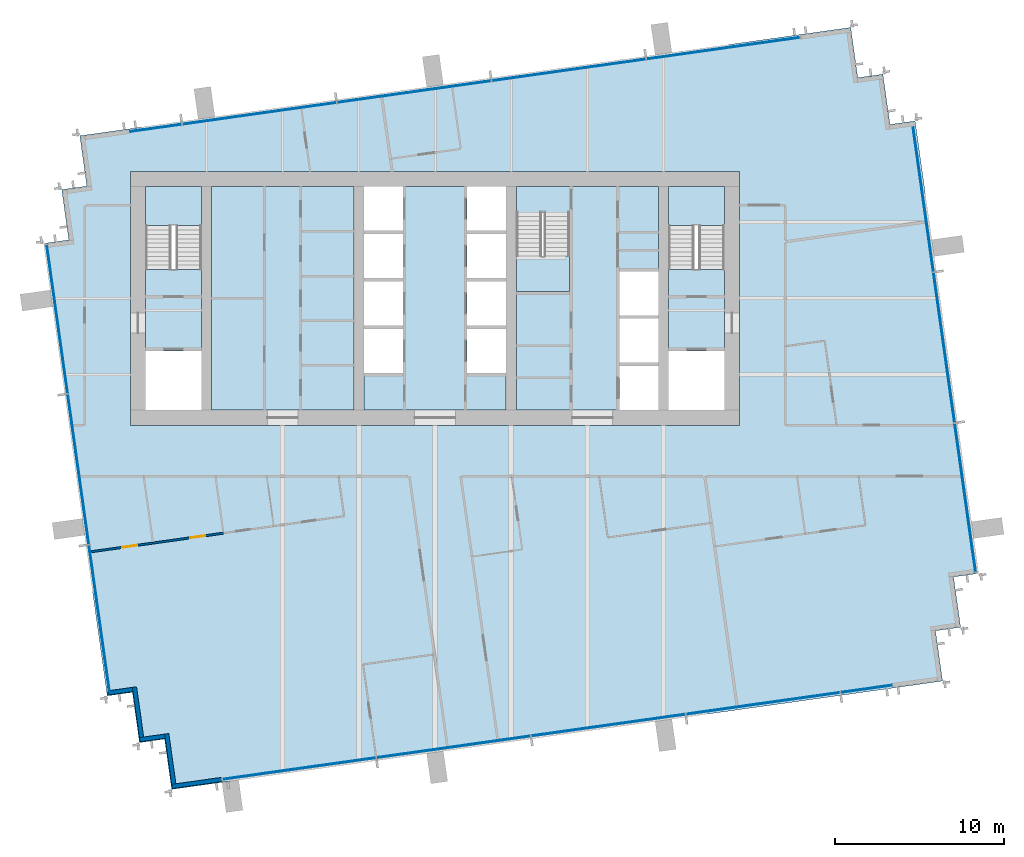
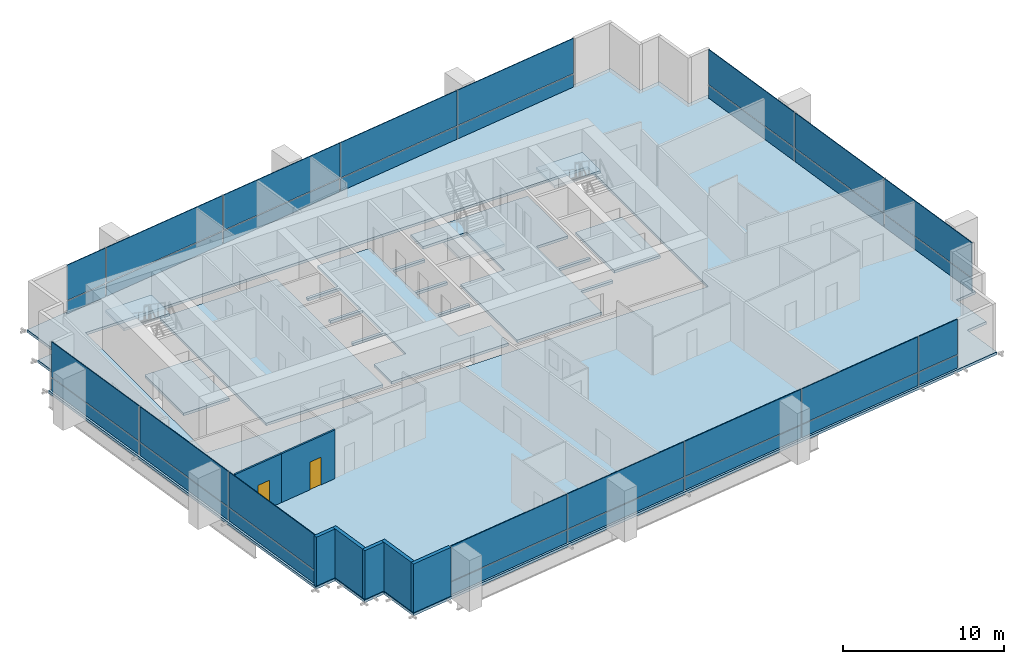
# One storey, part 8 of 14: 32 plates, 9 slabs, 7 walls, 2 doors, 2 openings, 7 elements without a shape of their own.
"""IFC4 building model written with IfcOpenShell, lengths in metres."""

from ifc_helpers import new_model, si_unit, direction, frame, frame_2d, origin, origin_2d, place, context, subcontext, project, spatial, polyline, rectangle, outline, extrude, material, layer, layer_set, type_object, element, fill, aggregate, save


model = new_model("IFC4")

# Units and contexts
model_context = context("Model", 3, precision=1e-05, world=origin(), true_north=direction((0.0, 1.0)))
body_context = subcontext(model_context, "Body", "Model", "MODEL_VIEW")
ifc_project = project(units=[si_unit("LENGTHUNIT", "METRE"), si_unit("AREAUNIT", "SQUARE_METRE"), si_unit("VOLUMEUNIT", "CUBIC_METRE"), si_unit("PLANEANGLEUNIT", "RADIAN"), si_unit("MASSUNIT", "GRAM", prefix="KILO")], contexts=[model_context])

# Site, building, storey
site_placement = place(None, origin())
site = spatial("IfcSite", under=ifc_project, at=site_placement, CompositionType="ELEMENT")
building_placement = place(site_placement, origin())
building = spatial("IfcBuilding", under=site, at=building_placement, Name="Rattan Terrace Tower", CompositionType="ELEMENT")
storey_placement = place(building_placement, frame((0.0, 0.0, 229.10009765625)))
storey = spatial("IfcBuildingStorey", under=building, at=storey_placement, Name="L52", CompositionType="ELEMENT", Elevation=229.10009765625)

# Stair, slab
ifc_material_1 = material(Name="Concrete C40/50", Category="concrete")
stair_type = type_object("IfcStairType", Name="Core exit stair 1500", PredefinedType="HALF_TURN_STAIR", material=ifc_material_1)
stair_1_placement = place(storey_placement, origin())
stair_1 = element("IfcStair", 1, at=stair_1_placement, inside=storey, type_object=stair_type, Name="L52 exit stair 1", PredefinedType="HALF_TURN_STAIR")
ifc_material_2 = material(Name="Concrete C40/50", Category="concrete")
ifc_layer_1 = layer(ifc_material_2, 0.199951171875)
ifc_layer_set_1 = layer_set([ifc_layer_1], Name="Core exit stair landing")
slab_type_1 = type_object("IfcSlabType", Name="Core exit stair landing", PredefinedType="LANDING", material=ifc_layer_set_1)
slab_1_placement = place(storey_placement, frame((0.0, 0.0, 1.75)))
slab_1 = element("IfcSlab", 2, at=slab_1_placement, type_object=slab_type_1, Name="S1 landing 1", PredefinedType="LANDING", context=body_context, shape_type="SweptSolid", body=[
    extrude(outline(polyline([(-13.800048828125, 4.300048828125), (-13.800048828125, 6.60009765625), (-17.10009765625, 6.60009765625), (-17.10009765625, 4.300048828125), (-13.800048828125, 4.300048828125)])), origin(), (0.0, 0.0, 1.0), 0.199951171875),
])
aggregate(stair_1, [slab_1])

stair_2_placement = place(storey_placement, origin())
stair_2 = element("IfcStair", 3, at=stair_2_placement, inside=storey, type_object=stair_type, Name="L52 exit stair 2", PredefinedType="HALF_TURN_STAIR")
slab_2_placement = place(storey_placement, frame((0.0, 0.0, 1.75)))
slab_2 = element("IfcSlab", 4, at=slab_2_placement, type_object=slab_type_1, Name="S2 landing 1", PredefinedType="LANDING", context=body_context, shape_type="SweptSolid", body=[
    extrude(outline(polyline([(17.10009765625, 4.300048828125), (17.10009765625, 6.60009765625), (13.800048828125, 6.60009765625), (13.800048828125, 4.300048828125), (17.10009765625, 4.300048828125)])), origin(), (0.0, 0.0, 1.0), 0.199951171875),
])
aggregate(stair_2, [slab_2])

stair_3_placement = place(storey_placement, origin())
stair_3 = element("IfcStair", 5, at=stair_3_placement, inside=storey, type_object=stair_type, Name="L52 exit stair 3", PredefinedType="HALF_TURN_STAIR")
slab_3_placement = place(storey_placement, frame((0.0, 0.0, 1.75)))
slab_3 = element("IfcSlab", 6, at=slab_3_placement, type_object=slab_type_1, Name="S3 landing 1", PredefinedType="LANDING", context=body_context, shape_type="SweptSolid", body=[
    extrude(outline(polyline([(4.800048828125, 2.5), (4.800048828125, 0.39990234375), (7.949951171875, 0.39990234375), (7.949951171875, 2.5), (4.800048828125, 2.5)])), origin(), (0.0, 0.0, 1.0), 0.199951171875),
])
aggregate(stair_3, [slab_3])

# Slabs
ifc_material_3 = material(Name="Concrete C35/45", Category="concrete")
ifc_layer_2 = layer(ifc_material_3, 0.199951171875)
ifc_layer_set_2 = layer_set([ifc_layer_2], Name="Frame composite floor slab 200")
slab_type_2 = type_object("IfcSlabType", Name="Frame composite floor slab 200", PredefinedType="FLOOR", material=ifc_layer_set_2)
slab_4_placement = place(storey_placement, frame((0.0, 0.0, -0.2001953125)))
element("IfcSlab", 7, at=slab_4_placement, inside=storey, type_object=slab_type_2, Name="Floor slab", PredefinedType="FLOOR", context=body_context, shape_type="SweptSolid", body=[
    extrude(outline(polyline([(-12.591064453125, -28.593994140625), (27.01904296875, -23.027099609375), (29.989990234375, -22.60888671875), (29.572998046875, -19.637939453125), (31.05810546875, -19.429931640625), (30.639892578125, -16.458984375), (32.1259765625, -16.25), (28.367919921875, 10.487060546875), (26.883056640625, 10.278076171875), (26.465087890625, 13.2490234375), (24.97998046875, 13.0400390625), (24.56201171875, 16.010986328125), (21.591064453125, 15.593994140625), (-18.01904296875, 10.027099609375), (-20.989990234375, 9.60888671875), (-20.572998046875, 6.637939453125), (-22.05810546875, 6.429931640625), (-21.639892578125, 3.458984375), (-23.1259765625, 3.25), (-19.367919921875, -23.487060546875), (-17.883056640625, -23.278076171875), (-17.465087890625, -26.2490234375), (-15.97998046875, -26.0400390625), (-15.56201171875, -29.010986328125), (-12.591064453125, -28.593994140625)]), holes=[polyline([(-18.0, -7.5), (18.0, -7.5), (18.0, -6.60009765625), (18.0, 6.60009765625), (18.0, 7.5), (-18.0, 7.5), (-18.0, 6.60009765625), (-18.0, -6.60009765625), (-18.0, -7.5)])]), origin(), (0.0, 0.0, 1.0), 0.2001953125),
])
slab_5_placement = place(storey_placement, frame((0.0, 0.0, -0.2001953125)))
element("IfcSlab", 8, at=slab_5_placement, inside=storey, type_object=slab_type_2, Name="Floor slab", PredefinedType="FLOOR", context=body_context, shape_type="SweptSolid", body=[
    extrude(outline(polyline([(13.199951171875, 6.60009765625), (4.800048828125, 6.60009765625), (4.800048828125, 5.090087890625), (7.949951171875, 5.090087890625), (7.949951171875, 0.39990234375), (4.800048828125, 0.39990234375), (4.800048828125, -6.60009765625), (10.89990234375, -6.60009765625), (10.89990234375, -4.0), (13.199951171875, -4.0), (13.199951171875, -3.800048828125), (10.89990234375, -3.800048828125), (10.89990234375, -1.199951171875), (13.199951171875, -1.199951171875), (13.199951171875, -1.0), (10.89990234375, -1.0), (10.89990234375, 1.60009765625), (13.199951171875, 1.60009765625), (13.199951171875, 6.60009765625)])), origin(), (0.0, 0.0, 1.0), 0.2001953125),
])
slab_6_placement = place(storey_placement, frame((0.0, 0.0, -0.2001953125)))
element("IfcSlab", 9, at=slab_6_placement, inside=storey, type_object=slab_type_2, Name="Floor slab", PredefinedType="FLOOR", context=body_context, shape_type="SweptSolid", body=[
    extrude(outline(polyline([(1.89990234375, 6.60009765625), (-1.89990234375, 6.60009765625), (-1.89990234375, 4.0), (-4.199951171875, 4.0), (-4.199951171875, 3.800048828125), (-1.89990234375, 3.800048828125), (-1.89990234375, 1.199951171875), (-4.199951171875, 1.199951171875), (-4.199951171875, 1.0), (-1.89990234375, 1.0), (-1.89990234375, -1.60009765625), (-4.199951171875, -1.60009765625), (-4.199951171875, -1.800048828125), (-1.89990234375, -1.800048828125), (-1.89990234375, -4.39990234375), (-4.199951171875, -4.39990234375), (-4.199951171875, -6.60009765625), (4.199951171875, -6.60009765625), (4.199951171875, -4.39990234375), (1.89990234375, -4.39990234375), (1.89990234375, -1.800048828125), (4.199951171875, -1.800048828125), (4.199951171875, -1.60009765625), (1.89990234375, -1.60009765625), (1.89990234375, 1.0), (4.199951171875, 1.0), (4.199951171875, 1.199951171875), (1.89990234375, 1.199951171875), (1.89990234375, 3.800048828125), (4.199951171875, 3.800048828125), (4.199951171875, 4.0), (1.89990234375, 4.0), (1.89990234375, 6.60009765625)])), origin(), (0.0, 0.0, 1.0), 0.2001953125),
])
slab_7_placement = place(storey_placement, frame((0.0, 0.0, -0.2001953125)))
element("IfcSlab", 10, at=slab_7_placement, inside=storey, type_object=slab_type_2, Name="Floor slab", PredefinedType="FLOOR", context=body_context, shape_type="SweptSolid", body=[
    extrude(outline(polyline([(-17.10009765625, -3.10009765625), (-13.800048828125, -3.10009765625), (-13.800048828125, 1.7099609375), (-17.10009765625, 1.7099609375), (-17.10009765625, -3.10009765625)])), origin(), (0.0, 0.0, 1.0), 0.2001953125),
])
slab_8_placement = place(storey_placement, frame((0.0, 0.0, -0.2001953125)))
element("IfcSlab", 11, at=slab_8_placement, inside=storey, type_object=slab_type_2, Name="Floor slab", PredefinedType="FLOOR", context=body_context, shape_type="SweptSolid", body=[
    extrude(outline(polyline([(-4.800048828125, -6.60009765625), (-4.800048828125, 6.60009765625), (-13.199951171875, 6.60009765625), (-13.199951171875, -6.60009765625), (-4.800048828125, -6.60009765625)])), origin(), (0.0, 0.0, 1.0), 0.2001953125),
])
slab_9_placement = place(storey_placement, frame((0.0, 0.0, -0.2001953125)))
element("IfcSlab", 12, at=slab_9_placement, inside=storey, type_object=slab_type_2, Name="Floor slab", PredefinedType="FLOOR", context=body_context, shape_type="SweptSolid", body=[
    extrude(outline(polyline([(13.800048828125, -3.10009765625), (17.10009765625, -3.10009765625), (17.10009765625, 1.7099609375), (13.800048828125, 1.7099609375), (13.800048828125, -3.10009765625)])), origin(), (0.0, 0.0, 1.0), 0.2001953125),
])

# Curtain wall, plates
ifc_material_4 = material(Name="Aluminium and laminated glass", Category="aluminium")
ifc_layer_3 = layer(ifc_material_4, 0.199951171875)
ifc_layer_set_3 = layer_set([ifc_layer_3], Name="High-Zone Unitised Curtain Wall")
curtain_wall_type = type_object("IfcCurtainWallType", Name="High-Zone Unitised Curtain Wall", PredefinedType="NOTDEFINED", material=ifc_layer_set_3)
curtain_wall_1_placement = place(storey_placement, origin())
curtain_wall_1 = element("IfcCurtainWall", 13, at=curtain_wall_1_placement, inside=storey, type_object=curtain_wall_type, Name="High-zone curtain wall L52-1", PredefinedType="NOTDEFINED")
ifc_material_5 = material(Name="Aluminium insulated spandrel panel", Category="aluminium")
ifc_layer_4 = layer(ifc_material_5, 0.050048828125)
ifc_layer_set_4 = layer_set([ifc_layer_4], Name="High-Zone CW Spandrel Panel")
plate_type_1 = type_object("IfcPlateType", Name="High-Zone CW Spandrel Panel", PredefinedType="CURTAIN_PANEL", material=ifc_layer_set_4)
plate_1_placement = place(storey_placement, frame((31.32568359375, -11.77783203125, 0.0), z_axis=(0.0, 0.0, 1.0), x_axis=(-0.139186165309, 0.990266232579, 0.0)))
plate_1 = element("IfcPlate", 14, at=plate_1_placement, type_object=plate_type_1, Name="Panel cwl-L52-001.1.1", PredefinedType="CURTAIN_PANEL", context=body_context, shape_type="SweptSolid", body=[
    extrude(rectangle(XDim=8.85009765625, YDim=0.050048828125, at=origin_2d()), origin(), (0.0, 0.0, 1.0), 0.965087890625),
])
plate_2_placement = place(storey_placement, frame((30.07861328125, -2.905029296875, 0.0), z_axis=(0.0, 0.0, 1.0), x_axis=(-0.139186165309, 0.990266232579, 0.0)))
plate_2 = element("IfcPlate", 15, at=plate_2_placement, type_object=plate_type_1, Name="Panel cwl-L52-001.2.1", PredefinedType="CURTAIN_PANEL", context=body_context, shape_type="SweptSolid", body=[
    extrude(rectangle(XDim=8.929931640625, YDim=0.050048828125, at=origin_2d()), origin(), (0.0, 0.0, 1.0), 0.965087890625),
])
plate_3_placement = place(storey_placement, frame((28.843994140625, 5.87841796875, 0.0), z_axis=(0.0, 0.0, 1.0), x_axis=(-0.139186165309, 0.990266232579, 0.0)))
plate_3 = element("IfcPlate", 16, at=plate_3_placement, type_object=plate_type_1, Name="Panel cwl-L52-001.3.1", PredefinedType="CURTAIN_PANEL", context=body_context, shape_type="SweptSolid", body=[
    extrude(rectangle(XDim=8.669677734375, YDim=0.050048828125, at=origin_2d()), origin(), (0.0, 0.0, 1.0), 0.965087890625),
])

curtain_wall_2_placement = place(storey_placement, origin())
curtain_wall_2 = element("IfcCurtainWall", 17, at=curtain_wall_2_placement, inside=storey, type_object=curtain_wall_type, Name="High-zone curtain wall L52-2", PredefinedType="NOTDEFINED")
plate_4_placement = place(storey_placement, frame((17.02685546875, 14.78076171875, 0.0), z_axis=(0.0, 0.0, 1.0), x_axis=(-0.990267457022, -0.139177453499, 0.0)))
plate_4 = element("IfcPlate", 18, at=plate_4_placement, type_object=plate_type_1, Name="Panel cwl-L52-002.1.1", PredefinedType="CURTAIN_PANEL", context=body_context, shape_type="SweptSolid", body=[
    extrude(rectangle(XDim=9.1259765625, YDim=0.050048828125, at=origin_2d()), origin(), (0.0, 0.0, 1.0), 0.965087890625),
])
plate_5_placement = place(storey_placement, frame((7.90283203125, 13.49853515625, 0.0), z_axis=(0.0, 0.0, 1.0), x_axis=(-0.990267457022, -0.139177453499, 0.0)))
plate_5 = element("IfcPlate", 19, at=plate_5_placement, type_object=plate_type_1, Name="Panel cwl-L52-002.2.1", PredefinedType="CURTAIN_PANEL", context=body_context, shape_type="SweptSolid", body=[
    extrude(rectangle(XDim=9.160888671875, YDim=0.050048828125, at=origin_2d()), origin(), (0.0, 0.0, 1.0), 0.965087890625),
])
plate_6_placement = place(storey_placement, frame((-1.23828125, 12.2138671875, 0.0), z_axis=(0.0, 0.0, 1.0), x_axis=(-0.990267457022, -0.139177453499, 0.0)))
plate_6 = element("IfcPlate", 20, at=plate_6_placement, type_object=plate_type_1, Name="Panel cwl-L52-002.3.1", PredefinedType="CURTAIN_PANEL", context=body_context, shape_type="SweptSolid", body=[
    extrude(rectangle(XDim=9.160888671875, YDim=0.050048828125, at=origin_2d()), origin(), (0.0, 0.0, 1.0), 0.965087890625),
])
plate_7_placement = place(storey_placement, frame((-10.37939453125, 10.928955078125, 0.0), z_axis=(0.0, 0.0, 1.0), x_axis=(-0.990267457022, -0.139177453499, 0.0)))
plate_7 = element("IfcPlate", 21, at=plate_7_placement, type_object=plate_type_1, Name="Panel cwl-L52-002.4.1", PredefinedType="CURTAIN_PANEL", context=body_context, shape_type="SweptSolid", body=[
    extrude(rectangle(XDim=9.160888671875, YDim=0.050048828125, at=origin_2d()), origin(), (0.0, 0.0, 1.0), 0.965087890625),
])
plate_8_placement = place(storey_placement, frame((-16.489990234375, 10.0703125, 0.0), z_axis=(0.0, 0.0, 1.0), x_axis=(-0.990267457022, -0.139177453499, 0.0)))
plate_8 = element("IfcPlate", 22, at=plate_8_placement, type_object=plate_type_1, Name="Panel cwl-L52-002.5.1", PredefinedType="CURTAIN_PANEL", context=body_context, shape_type="SweptSolid", body=[
    extrude(rectangle(XDim=3.040283203125, YDim=0.050048828125, at=origin_2d()), origin(), (0.0, 0.0, 1.0), 0.965087890625),
])

curtain_wall_3_placement = place(storey_placement, origin())
curtain_wall_3 = element("IfcCurtainWall", 23, at=curtain_wall_3_placement, inside=storey, type_object=curtain_wall_type, Name="High-zone curtain wall L52-3", PredefinedType="NOTDEFINED")
plate_9_placement = place(storey_placement, frame((-22.32568359375, -1.22216796875, 0.0), z_axis=(0.0, 0.0, 1.0), x_axis=(0.139186165309, -0.990266232579, 0.0)))
plate_9 = element("IfcPlate", 24, at=plate_9_placement, type_object=plate_type_1, Name="Panel cwl-L52-003.1.1", PredefinedType="CURTAIN_PANEL", context=body_context, shape_type="SweptSolid", body=[
    extrude(rectangle(XDim=8.85009765625, YDim=0.050048828125, at=origin_2d()), origin(), (0.0, 0.0, 1.0), 0.965087890625),
])
plate_10_placement = place(storey_placement, frame((-21.07861328125, -10.094970703125, 0.0), z_axis=(0.0, 0.0, 1.0), x_axis=(0.139186165309, -0.990266232579, 0.0)))
plate_10 = element("IfcPlate", 25, at=plate_10_placement, type_object=plate_type_1, Name="Panel cwl-L52-003.2.1", PredefinedType="CURTAIN_PANEL", context=body_context, shape_type="SweptSolid", body=[
    extrude(rectangle(XDim=8.929931640625, YDim=0.050048828125, at=origin_2d()), origin(), (0.0, 0.0, 1.0), 0.965087890625),
])
plate_11_placement = place(storey_placement, frame((-19.843994140625, -18.87841796875, 0.0), z_axis=(0.0, 0.0, 1.0), x_axis=(0.139186165309, -0.990266232579, 0.0)))
plate_11 = element("IfcPlate", 26, at=plate_11_placement, type_object=plate_type_1, Name="Panel cwl-L52-003.3.1", PredefinedType="CURTAIN_PANEL", context=body_context, shape_type="SweptSolid", body=[
    extrude(rectangle(XDim=8.669677734375, YDim=0.050048828125, at=origin_2d()), origin(), (0.0, 0.0, 1.0), 0.965087890625),
])

curtain_wall_4_placement = place(storey_placement, origin())
curtain_wall_4 = element("IfcCurtainWall", 27, at=curtain_wall_4_placement, inside=storey, type_object=curtain_wall_type, Name="High-zone curtain wall L52-4", PredefinedType="NOTDEFINED")
plate_12_placement = place(storey_placement, frame((-8.02685546875, -27.78076171875, 0.0), z_axis=(0.0, 0.0, 1.0), x_axis=(0.990267457022, 0.139177453499, 0.0)))
plate_12 = element("IfcPlate", 28, at=plate_12_placement, type_object=plate_type_1, Name="Panel cwl-L52-004.1.1", PredefinedType="CURTAIN_PANEL", context=body_context, shape_type="SweptSolid", body=[
    extrude(rectangle(XDim=9.1259765625, YDim=0.050048828125, at=origin_2d()), origin(), (0.0, 0.0, 1.0), 0.965087890625),
])
plate_13_placement = place(storey_placement, frame((1.09716796875, -26.49853515625, 0.0), z_axis=(0.0, 0.0, 1.0), x_axis=(0.990267457022, 0.139177453499, 0.0)))
plate_13 = element("IfcPlate", 29, at=plate_13_placement, type_object=plate_type_1, Name="Panel cwl-L52-004.2.1", PredefinedType="CURTAIN_PANEL", context=body_context, shape_type="SweptSolid", body=[
    extrude(rectangle(XDim=9.160888671875, YDim=0.050048828125, at=origin_2d()), origin(), (0.0, 0.0, 1.0), 0.965087890625),
])
plate_14_placement = place(storey_placement, frame((10.23828125, -25.2138671875, 0.0), z_axis=(0.0, 0.0, 1.0), x_axis=(0.990267457022, 0.139177453499, 0.0)))
plate_14 = element("IfcPlate", 30, at=plate_14_placement, type_object=plate_type_1, Name="Panel cwl-L52-004.3.1", PredefinedType="CURTAIN_PANEL", context=body_context, shape_type="SweptSolid", body=[
    extrude(rectangle(XDim=9.160888671875, YDim=0.050048828125, at=origin_2d()), origin(), (0.0, 0.0, 1.0), 0.965087890625),
])
plate_15_placement = place(storey_placement, frame((19.37939453125, -23.928955078125, 0.0), z_axis=(0.0, 0.0, 1.0), x_axis=(0.990267457022, 0.139177453499, 0.0)))
plate_15 = element("IfcPlate", 31, at=plate_15_placement, type_object=plate_type_1, Name="Panel cwl-L52-004.4.1", PredefinedType="CURTAIN_PANEL", context=body_context, shape_type="SweptSolid", body=[
    extrude(rectangle(XDim=9.160888671875, YDim=0.050048828125, at=origin_2d()), origin(), (0.0, 0.0, 1.0), 0.965087890625),
])
plate_16_placement = place(storey_placement, frame((25.489990234375, -23.0703125, 0.0), z_axis=(0.0, 0.0, 1.0), x_axis=(0.990267457022, 0.139177453499, 0.0)))
plate_16 = element("IfcPlate", 32, at=plate_16_placement, type_object=plate_type_1, Name="Panel cwl-L52-004.5.1", PredefinedType="CURTAIN_PANEL", context=body_context, shape_type="SweptSolid", body=[
    extrude(rectangle(XDim=3.040283203125, YDim=0.050048828125, at=origin_2d()), origin(), (0.0, 0.0, 1.0), 0.965087890625),
])

# Plate
ifc_material_6 = material(Name="Laminated low-iron glass", Category="glass")
ifc_layer_5 = layer(ifc_material_6, 0.055908203125)
ifc_layer_set_5 = layer_set([ifc_layer_5], Name="High-Zone CW Vision Panel")
plate_type_2 = type_object("IfcPlateType", Name="High-Zone CW Vision Panel", PredefinedType="CURTAIN_PANEL", material=ifc_layer_set_5)
plate_17_placement = place(storey_placement, frame((31.32568359375, -11.77783203125, 1.034912109375), z_axis=(0.0, 0.0, 1.0), x_axis=(-0.139186165309, 0.990266232579, 0.0)))
plate_17 = element("IfcPlate", 33, at=plate_17_placement, type_object=plate_type_2, Name="Panel cwl-L52-001.1.2", PredefinedType="CURTAIN_PANEL", context=body_context, shape_type="SweptSolid", body=[
    extrude(rectangle(XDim=8.85009765625, YDim=0.055908203125, at=origin_2d()), origin(), (0.0, 0.0, 1.0), 2.6650390625),
])

plate_18_placement = place(storey_placement, frame((30.07861328125, -2.905029296875, 1.034912109375), z_axis=(0.0, 0.0, 1.0), x_axis=(-0.139186165309, 0.990266232579, 0.0)))
plate_18 = element("IfcPlate", 34, at=plate_18_placement, type_object=plate_type_2, Name="Panel cwl-L52-001.2.2", PredefinedType="CURTAIN_PANEL", context=body_context, shape_type="SweptSolid", body=[
    extrude(rectangle(XDim=8.929931640625, YDim=0.055908203125, at=origin_2d()), origin(), (0.0, 0.0, 1.0), 2.6650390625),
])

plate_19_placement = place(storey_placement, frame((28.843994140625, 5.87841796875, 1.034912109375), z_axis=(0.0, 0.0, 1.0), x_axis=(-0.139186165309, 0.990266232579, 0.0)))
plate_19 = element("IfcPlate", 35, at=plate_19_placement, type_object=plate_type_2, Name="Panel cwl-L52-001.3.2", PredefinedType="CURTAIN_PANEL", context=body_context, shape_type="SweptSolid", body=[
    extrude(rectangle(XDim=8.669677734375, YDim=0.055908203125, at=origin_2d()), origin(), (0.0, 0.0, 1.0), 2.6650390625),
])

aggregate(curtain_wall_1, [plate_1, plate_17, plate_2, plate_18, plate_3, plate_19])

plate_20_placement = place(storey_placement, frame((17.02685546875, 14.78076171875, 1.034912109375), z_axis=(0.0, 0.0, 1.0), x_axis=(-0.990267457022, -0.139177453499, 0.0)))
plate_20 = element("IfcPlate", 36, at=plate_20_placement, type_object=plate_type_2, Name="Panel cwl-L52-002.1.2", PredefinedType="CURTAIN_PANEL", context=body_context, shape_type="SweptSolid", body=[
    extrude(rectangle(XDim=9.1259765625, YDim=0.055908203125, at=origin_2d()), origin(), (0.0, 0.0, 1.0), 2.6650390625),
])

plate_21_placement = place(storey_placement, frame((7.90283203125, 13.49853515625, 1.034912109375), z_axis=(0.0, 0.0, 1.0), x_axis=(-0.990267457022, -0.139177453499, 0.0)))
plate_21 = element("IfcPlate", 37, at=plate_21_placement, type_object=plate_type_2, Name="Panel cwl-L52-002.2.2", PredefinedType="CURTAIN_PANEL", context=body_context, shape_type="SweptSolid", body=[
    extrude(rectangle(XDim=9.160888671875, YDim=0.055908203125, at=origin_2d()), origin(), (0.0, 0.0, 1.0), 2.6650390625),
])

plate_22_placement = place(storey_placement, frame((-1.23828125, 12.2138671875, 1.034912109375), z_axis=(0.0, 0.0, 1.0), x_axis=(-0.990267457022, -0.139177453499, 0.0)))
plate_22 = element("IfcPlate", 38, at=plate_22_placement, type_object=plate_type_2, Name="Panel cwl-L52-002.3.2", PredefinedType="CURTAIN_PANEL", context=body_context, shape_type="SweptSolid", body=[
    extrude(rectangle(XDim=9.160888671875, YDim=0.055908203125, at=origin_2d()), origin(), (0.0, 0.0, 1.0), 2.6650390625),
])

plate_23_placement = place(storey_placement, frame((-10.37939453125, 10.928955078125, 1.034912109375), z_axis=(0.0, 0.0, 1.0), x_axis=(-0.990267457022, -0.139177453499, 0.0)))
plate_23 = element("IfcPlate", 39, at=plate_23_placement, type_object=plate_type_2, Name="Panel cwl-L52-002.4.2", PredefinedType="CURTAIN_PANEL", context=body_context, shape_type="SweptSolid", body=[
    extrude(rectangle(XDim=9.160888671875, YDim=0.055908203125, at=origin_2d()), origin(), (0.0, 0.0, 1.0), 2.6650390625),
])

plate_24_placement = place(storey_placement, frame((-16.489990234375, 10.0703125, 1.034912109375), z_axis=(0.0, 0.0, 1.0), x_axis=(-0.990267457022, -0.139177453499, 0.0)))
plate_24 = element("IfcPlate", 40, at=plate_24_placement, type_object=plate_type_2, Name="Panel cwl-L52-002.5.2", PredefinedType="CURTAIN_PANEL", context=body_context, shape_type="SweptSolid", body=[
    extrude(rectangle(XDim=3.040283203125, YDim=0.055908203125, at=origin_2d()), origin(), (0.0, 0.0, 1.0), 2.6650390625),
])

aggregate(curtain_wall_2, [plate_4, plate_20, plate_5, plate_21, plate_6, plate_22, plate_7, plate_23, plate_8, plate_24])

plate_25_placement = place(storey_placement, frame((-22.32568359375, -1.22216796875, 1.034912109375), z_axis=(0.0, 0.0, 1.0), x_axis=(0.139186165309, -0.990266232579, 0.0)))
plate_25 = element("IfcPlate", 41, at=plate_25_placement, type_object=plate_type_2, Name="Panel cwl-L52-003.1.2", PredefinedType="CURTAIN_PANEL", context=body_context, shape_type="SweptSolid", body=[
    extrude(rectangle(XDim=8.85009765625, YDim=0.055908203125, at=origin_2d()), origin(), (0.0, 0.0, 1.0), 2.6650390625),
])

plate_26_placement = place(storey_placement, frame((-21.07861328125, -10.094970703125, 1.034912109375), z_axis=(0.0, 0.0, 1.0), x_axis=(0.139186165309, -0.990266232579, 0.0)))
plate_26 = element("IfcPlate", 42, at=plate_26_placement, type_object=plate_type_2, Name="Panel cwl-L52-003.2.2", PredefinedType="CURTAIN_PANEL", context=body_context, shape_type="SweptSolid", body=[
    extrude(rectangle(XDim=8.929931640625, YDim=0.055908203125, at=origin_2d()), origin(), (0.0, 0.0, 1.0), 2.6650390625),
])

plate_27_placement = place(storey_placement, frame((-19.843994140625, -18.87841796875, 1.034912109375), z_axis=(0.0, 0.0, 1.0), x_axis=(0.139186165309, -0.990266232579, 0.0)))
plate_27 = element("IfcPlate", 43, at=plate_27_placement, type_object=plate_type_2, Name="Panel cwl-L52-003.3.2", PredefinedType="CURTAIN_PANEL", context=body_context, shape_type="SweptSolid", body=[
    extrude(rectangle(XDim=8.669677734375, YDim=0.055908203125, at=origin_2d()), origin(), (0.0, 0.0, 1.0), 2.6650390625),
])

aggregate(curtain_wall_3, [plate_9, plate_25, plate_10, plate_26, plate_11, plate_27])

plate_28_placement = place(storey_placement, frame((-8.02685546875, -27.78076171875, 1.034912109375), z_axis=(0.0, 0.0, 1.0), x_axis=(0.990267457022, 0.139177453499, 0.0)))
plate_28 = element("IfcPlate", 44, at=plate_28_placement, type_object=plate_type_2, Name="Panel cwl-L52-004.1.2", PredefinedType="CURTAIN_PANEL", context=body_context, shape_type="SweptSolid", body=[
    extrude(rectangle(XDim=9.1259765625, YDim=0.055908203125, at=origin_2d()), origin(), (0.0, 0.0, 1.0), 2.6650390625),
])

plate_29_placement = place(storey_placement, frame((1.09716796875, -26.49853515625, 1.034912109375), z_axis=(0.0, 0.0, 1.0), x_axis=(0.990267457022, 0.139177453499, 0.0)))
plate_29 = element("IfcPlate", 45, at=plate_29_placement, type_object=plate_type_2, Name="Panel cwl-L52-004.2.2", PredefinedType="CURTAIN_PANEL", context=body_context, shape_type="SweptSolid", body=[
    extrude(rectangle(XDim=9.160888671875, YDim=0.055908203125, at=origin_2d()), origin(), (0.0, 0.0, 1.0), 2.6650390625),
])

plate_30_placement = place(storey_placement, frame((10.23828125, -25.2138671875, 1.034912109375), z_axis=(0.0, 0.0, 1.0), x_axis=(0.990267457022, 0.139177453499, 0.0)))
plate_30 = element("IfcPlate", 46, at=plate_30_placement, type_object=plate_type_2, Name="Panel cwl-L52-004.3.2", PredefinedType="CURTAIN_PANEL", context=body_context, shape_type="SweptSolid", body=[
    extrude(rectangle(XDim=9.160888671875, YDim=0.055908203125, at=origin_2d()), origin(), (0.0, 0.0, 1.0), 2.6650390625),
])

plate_31_placement = place(storey_placement, frame((19.37939453125, -23.928955078125, 1.034912109375), z_axis=(0.0, 0.0, 1.0), x_axis=(0.990267457022, 0.139177453499, 0.0)))
plate_31 = element("IfcPlate", 47, at=plate_31_placement, type_object=plate_type_2, Name="Panel cwl-L52-004.4.2", PredefinedType="CURTAIN_PANEL", context=body_context, shape_type="SweptSolid", body=[
    extrude(rectangle(XDim=9.160888671875, YDim=0.055908203125, at=origin_2d()), origin(), (0.0, 0.0, 1.0), 2.6650390625),
])

plate_32_placement = place(storey_placement, frame((25.489990234375, -23.0703125, 1.034912109375), z_axis=(0.0, 0.0, 1.0), x_axis=(0.990267457022, 0.139177453499, 0.0)))
plate_32 = element("IfcPlate", 48, at=plate_32_placement, type_object=plate_type_2, Name="Panel cwl-L52-004.5.2", PredefinedType="CURTAIN_PANEL", context=body_context, shape_type="SweptSolid", body=[
    extrude(rectangle(XDim=3.040283203125, YDim=0.055908203125, at=origin_2d()), origin(), (0.0, 0.0, 1.0), 2.6650390625),
])

aggregate(curtain_wall_4, [plate_12, plate_28, plate_13, plate_29, plate_14, plate_30, plate_15, plate_31, plate_16, plate_32])

# Walls
ifc_material_7 = material(Name="Insulated aluminium-clad stud wall", Category="aluminium")
ifc_layer_6 = layer(ifc_material_7, 0.25)
ifc_layer_set_6 = layer_set([ifc_layer_6], Name="Facade Riser Wall 250")
wall_type_1 = type_object("IfcWallType", Name="Facade Riser Wall 250", PredefinedType="SOLIDWALL", material=ifc_layer_set_6)
wall_1_placement = place(storey_placement, frame((-19.322265625, -23.308837890625, 0.0), z_axis=(0.0, 0.0, 1.0), x_axis=(0.990235520307, 0.13940449893, 0.0)))
element("IfcWall", 49, at=wall_1_placement, inside=storey, type_object=wall_type_1, Name="Riser wall L52-16", PredefinedType="SOLIDWALL", context=body_context, shape_type="SweptSolid", body=[
    extrude(rectangle(XDim=1.474609375, YDim=0.25, at=frame_2d((0.7373046875, 0.0))), origin(), (0.0, 0.0, 1.0), 3.699951171875),
])
wall_2_placement = place(storey_placement, frame((-17.755859375, -22.962158203125, 0.0), z_axis=(0.0, 0.0, 1.0), x_axis=(0.139393225799, -0.990237107263, 0.0)))
element("IfcWall", 50, at=wall_2_placement, inside=storey, type_object=wall_type_1, Name="Riser wall L52-17", PredefinedType="SOLIDWALL", context=body_context, shape_type="SweptSolid", body=[
    extrude(rectangle(XDim=3.000244140625, YDim=0.25, at=frame_2d((1.5, 0.0))), origin(), (0.0, 0.0, 1.0), 3.699951171875),
])
wall_3_placement = place(storey_placement, frame((-17.444091796875, -26.074462890625, 0.0), z_axis=(0.0, 0.0, 1.0), x_axis=(0.990240434918, 0.139369584395, 0.0)))
element("IfcWall", 51, at=wall_3_placement, inside=storey, type_object=wall_type_1, Name="Riser wall L52-18", PredefinedType="SOLIDWALL", context=body_context, shape_type="SweptSolid", body=[
    extrude(rectangle(XDim=1.49951171875, YDim=0.25, at=frame_2d((0.749755859375, 0.0))), origin(), (0.0, 0.0, 1.0), 3.699951171875),
])
wall_4_placement = place(storey_placement, frame((-15.852783203125, -25.72412109375, 0.0), z_axis=(0.0, 0.0, 1.0), x_axis=(0.139302206688, -0.990249915532, 0.0)))
element("IfcWall", 52, at=wall_4_placement, inside=storey, type_object=wall_type_1, Name="Riser wall L52-19", PredefinedType="SOLIDWALL", context=body_context, shape_type="SweptSolid", body=[
    extrude(rectangle(XDim=3.00048828125, YDim=0.25, at=frame_2d((1.500244140625, 0.0))), origin(), (0.0, 0.0, 1.0), 3.699951171875),
])
wall_5_placement = place(storey_placement, frame((-15.541015625, -28.83642578125, 0.0), z_axis=(0.0, 0.0, 1.0), x_axis=(0.990285396533, 0.139049751574, 0.0)))
element("IfcWall", 53, at=wall_5_placement, inside=storey, type_object=wall_type_1, Name="Riser wall L52-20", PredefinedType="SOLIDWALL", context=body_context, shape_type="SweptSolid", body=[
    extrude(rectangle(XDim=2.955078125, YDim=0.25, at=frame_2d((1.4775390625, 0.0))), origin(), (0.0, 0.0, 1.0), 3.699951171875),
])

# Wall, opening, door
ifc_material_8 = material(Name="Moisture resistant gypsum board partition on steel studs with service cavity", Category="steel")
ifc_layer_7 = layer(ifc_material_8, 0.1201171875)
ifc_layer_set_7 = layer_set([ifc_layer_7], Name="Floors Wet Wall 120")
wall_type_2 = type_object("IfcWallType", Name="Floors Wet Wall 120", PredefinedType="PARTITIONING", material=ifc_layer_set_7)
wall_6_placement = place(storey_placement, frame((-20.302978515625, -14.967041015625, 0.0), z_axis=(0.0, 0.0, 1.0), x_axis=(0.990278989802, 0.139095371445, 0.0)))
wall_6 = element("IfcWall", 54, at=wall_6_placement, inside=storey, type_object=wall_type_2, Name="pt-L52-027", PredefinedType="PARTITIONING", context=body_context, shape_type="SweptSolid", body=[
    extrude(rectangle(XDim=3.65966796875, YDim=0.1201171875, at=frame_2d((1.829833984375, 0.0))), origin(), (0.0, 0.0, 1.0), 3.699951171875),
])
opening_1_placement = place(wall_6_placement, frame((1.83203125, 0.0, 0.0)))
opening_1 = element("IfcOpeningElement", 55, at=opening_1_placement, cuts=wall_6, Name="Opening L52-D102", PredefinedType="OPENING", context=body_context, shape_type="SweptSolid", body=[
    extrude(rectangle(XDim=0.89990234375, YDim=2.10009765625, at=frame_2d((0.449951171875, 1.050048828125))), frame((0.0, 0.070556640625, 0.0), z_axis=(0.0, -1.0, 0.0), x_axis=(1.0, 0.0, 0.0)), (0.0, 0.0, 1.0), 0.14111328125),
])
ifc_material_9 = material(Name="Solid core timber door, painted", Category="wood")
door_type = type_object("IfcDoorType", Name="Floors Door 900x2100", OperationType="NOTDEFINED", PredefinedType="DOOR", material=ifc_material_9)
door_1_placement = place(opening_1_placement, origin())
door_1 = element("IfcDoor", 56, at=door_1_placement, inside=storey, type_object=door_type, Name="d-L52-102", OperationType="SINGLE_SWING_RIGHT", OverallHeight=2.10009765625, OverallWidth=0.89990234375, PredefinedType="DOOR", context=body_context, shape_type="SweptSolid", body=[
    extrude(rectangle(XDim=0.89990234375, YDim=2.10009765625, at=frame_2d((0.449951171875, 1.050048828125))), frame((0.0, 0.02490234375, 0.0), z_axis=(0.0, -1.0, 0.0), x_axis=(1.0, 0.0, 0.0)), (0.0, 0.0, 1.0), 0.050048828125),
])
fill(opening_1, door_1)

wall_7_placement = place(storey_placement, frame((-16.678955078125, -14.4580078125, 0.0), z_axis=(0.0, 0.0, 1.0), x_axis=(0.990269352743, 0.139163964508, 0.0)))
wall_7 = element("IfcWall", 57, at=wall_7_placement, inside=storey, type_object=wall_type_2, Name="pt-L52-028", PredefinedType="PARTITIONING", context=body_context, shape_type="SweptSolid", body=[
    extrude(rectangle(XDim=4.240234375, YDim=0.1201171875, at=frame_2d((2.1201171875, 0.0))), origin(), (0.0, 0.0, 1.0), 3.699951171875),
])
opening_2_placement = place(wall_7_placement, frame((2.238037109375, 0.0, 0.0)))
opening_2 = element("IfcOpeningElement", 58, at=opening_2_placement, cuts=wall_7, Name="Opening L52-D103", PredefinedType="OPENING", context=body_context, shape_type="SweptSolid", body=[
    extrude(rectangle(XDim=0.89990234375, YDim=2.10009765625, at=frame_2d((0.449951171875, 1.050048828125))), frame((0.0, 0.070556640625, 0.0), z_axis=(0.0, -1.0, 0.0), x_axis=(1.0, 0.0, 0.0)), (0.0, 0.0, 1.0), 0.14111328125),
])
door_2_placement = place(opening_2_placement, origin())
door_2 = element("IfcDoor", 59, at=door_2_placement, inside=storey, type_object=door_type, Name="d-L52-103", OperationType="SINGLE_SWING_RIGHT", OverallHeight=2.10009765625, OverallWidth=0.89990234375, PredefinedType="DOOR", context=body_context, shape_type="SweptSolid", body=[
    extrude(rectangle(XDim=0.89990234375, YDim=2.10009765625, at=frame_2d((0.449951171875, 1.050048828125))), frame((0.0, 0.02490234375, 0.0), z_axis=(0.0, -1.0, 0.0), x_axis=(1.0, 0.0, 0.0)), (0.0, 0.0, 1.0), 0.050048828125),
])
fill(opening_2, door_2)

save(model, "model.ifc")
